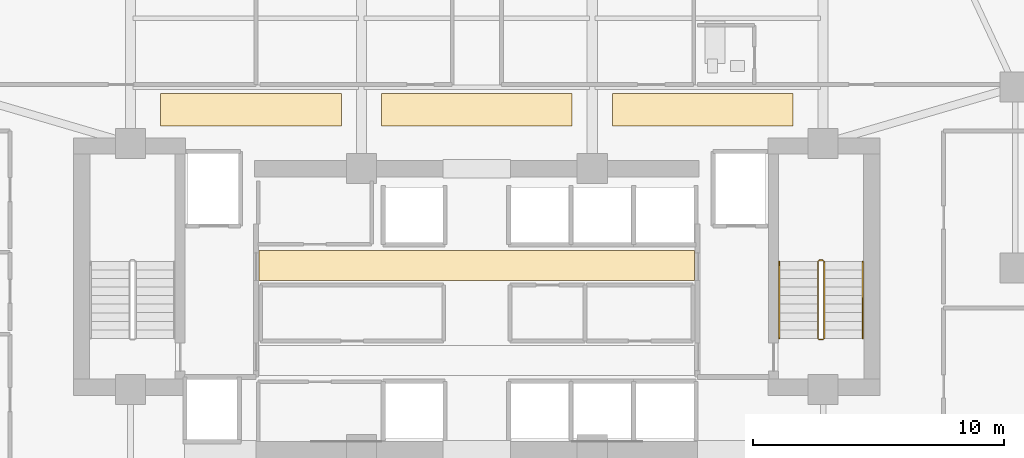
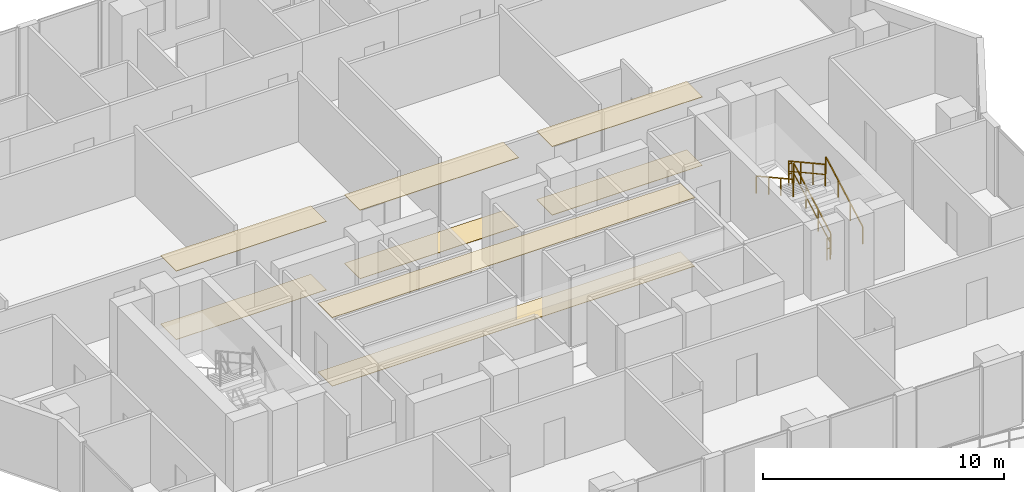
# One storey, part 31 of 33: 8 coverings, 6 railings.
"""IFC4 building model written with IfcOpenShell, lengths in metres."""

import ifcopenshell
import ifcopenshell.guid

model = None  # the IFC model being written
_history = None  # IfcOwnerHistory: only IFC2X3 demands one
_inside = {}  # id of a spatial element -> (the spatial element, [elements in it])
_under = {}  # id of a project, library or spatial element -> (it, [spatial elements below it])
_declared = {}  # id of a project -> (the project, [libraries it declares])
_typed = {}  # id of a type object -> (the type object, [elements of that type])
_made_of = {}  # id of a material, layer set ... -> (it, [elements and type objects made of it])


def new_model(schema):
    """Start an empty IFC model of exactly this schema.

    Asked for "IFC4X3", IfcOpenShell would pick the latest addendum, in which some entities
    have other attributes; the version numbers below select the first issue.
    IFC2X3 requires an IfcOwnerHistory on every rooted entity: one is made here for all.
    """
    global model, _history
    if schema == "IFC4X3":
        model = ifcopenshell.file(schema_version=(4, 3, 0, 0))
    else:
        model = ifcopenshell.file(schema=schema)
    _inside.clear()
    _under.clear()
    _declared.clear()
    _typed.clear()
    _made_of.clear()
    _history = None
    if model.schema == "IFC2X3":
        org = make("IfcOrganization", Name="unknown")
        user = make(
            "IfcPersonAndOrganization",
            ThePerson=make("IfcPerson", FamilyName="unknown"),
            TheOrganization=org,
        )
        app = make(
            "IfcApplication",
            ApplicationDeveloper=org,
            Version="unknown",
            ApplicationFullName="unknown",
            ApplicationIdentifier="unknown",
        )
        _history = make(
            "IfcOwnerHistory",
            OwningUser=user,
            OwningApplication=app,
            ChangeAction="ADDED",
            CreationDate=0,
        )
    return model


def make(cls, **values):
    """One entity of the class cls with the attributes given. An attribute that is None is left unset."""
    return model.create_entity(
        cls, **{name: value for name, value in values.items() if value is not None}
    )


def rooted(cls, **values):
    """An entity with a GlobalId (a new one), such as an element, a storey or a relation."""
    return make(cls, GlobalId=ifcopenshell.guid.new(), OwnerHistory=_history, **values)


def si_unit(unit_type, name, prefix=None):
    """IfcSIUnit, for example si_unit("LENGTHUNIT", "METRE", prefix="MILLI")."""
    return make("IfcSIUnit", UnitType=unit_type, Prefix=prefix, Name=name)


def assignment(units):
    """IfcUnitAssignment: the units of a project."""
    return None if units is None else make("IfcUnitAssignment", Units=units)


def point(xyz):
    """IfcCartesianPoint."""
    return None if xyz is None else make("IfcCartesianPoint", Coordinates=xyz)


def direction(xyz):
    """IfcDirection."""
    return None if xyz is None else make("IfcDirection", DirectionRatios=xyz)


def frame(location, z_axis=None, x_axis=None):
    """IfcAxis2Placement3D, a coordinate frame: its origin and axes. An axis left out is left unset."""
    return make(
        "IfcAxis2Placement3D",
        Location=point(location),
        Axis=direction(z_axis),
        RefDirection=direction(x_axis),
    )


def frame_2d(location, x_axis=None):
    """IfcAxis2Placement2D, a coordinate frame in the plane: its origin and x axis."""
    return make(
        "IfcAxis2Placement2D", Location=point(location), RefDirection=direction(x_axis)
    )


def origin():
    """The frame at (0, 0, 0) with its axes left unset."""
    return frame((0.0, 0.0, 0.0))


def origin_2d():
    """The frame at (0, 0) in the plane with its x axis left unset."""
    return frame_2d((0.0, 0.0))


def place(relative_to, where):
    """IfcLocalPlacement: puts the frame where relative to a parent placement (None: the world)."""
    return make(
        "IfcLocalPlacement", PlacementRelTo=relative_to, RelativePlacement=where
    )


def context(
    kind, dimensions, precision=None, world=None, true_north=None, identifier=None
):
    """IfcGeometricRepresentationContext, for example the 3D "Model" context."""
    return make(
        "IfcGeometricRepresentationContext",
        ContextIdentifier=identifier,
        ContextType=kind,
        CoordinateSpaceDimension=dimensions,
        Precision=precision,
        WorldCoordinateSystem=world,
        TrueNorth=true_north,
    )


def subcontext(parent, identifier, kind, view, scale=None):
    """IfcGeometricRepresentationSubContext, for example "Body" below "Model"."""
    return make(
        "IfcGeometricRepresentationSubContext",
        ContextIdentifier=identifier,
        ContextType=kind,
        ParentContext=parent,
        TargetScale=scale,
        TargetView=view,
    )


def project(units=None, contexts=None):
    """IfcProject with its units and contexts."""
    return rooted(
        "IfcProject",
        Name="project",
        RepresentationContexts=contexts,
        UnitsInContext=assignment(units),
    )


def spatial(cls, under=None, at=None, **own):
    """A site, building, storey or space (cls), placed at a placement, below another one or the project."""
    s = rooted(cls, ObjectPlacement=at, **own)
    if under is not None:
        _under.setdefault(under.id(), (under, []))[1].append(s)
    return s


def polyline(points):
    """IfcPolyline through the points."""
    return make("IfcPolyline", Points=[point(p) for p in points])


def profile(cls, at=None, kind="AREA", **sizes):
    """A parametric profile (cls). Its sizes go by their IFC names, for example OverallWidth=200.0."""
    return make(cls, ProfileType=kind, Position=at, **sizes)


def rectangle(**sizes):
    """IfcRectangleProfileDef."""
    return profile("IfcRectangleProfileDef", **sizes)


def outline(outer, holes=None, kind="AREA"):
    """IfcArbitraryClosedProfileDef: a profile drawn as a closed curve; with holes, ...WithVoids."""
    if holes is None:
        return make("IfcArbitraryClosedProfileDef", ProfileType=kind, OuterCurve=outer)
    return make(
        "IfcArbitraryProfileDefWithVoids",
        ProfileType=kind,
        OuterCurve=outer,
        InnerCurves=holes,
    )


def extrude(swept, where, along, depth):
    """IfcExtrudedAreaSolid: the profile swept, set in the frame where, extruded along a direction by depth."""
    return make(
        "IfcExtrudedAreaSolid",
        SweptArea=swept,
        Position=where,
        ExtrudedDirection=direction(along),
        Depth=depth,
    )


def shape(context_of_items, identifier, shape_type, items):
    """IfcShapeRepresentation: the items that make up one representation, for example the "Body"."""
    return make(
        "IfcShapeRepresentation",
        ContextOfItems=context_of_items,
        RepresentationIdentifier=identifier,
        RepresentationType=shape_type,
        Items=items,
    )


def material(Name=None, Category=None):
    """IfcMaterial."""
    return make("IfcMaterial", Name=Name, Category=Category)


def layer(
    of_material, thickness, ventilated=None, Name=None, Category=None, Priority=None
):
    """IfcMaterialLayer: one layer of a wall or slab, of a material (None: an air gap)."""
    return make(
        "IfcMaterialLayer",
        Material=of_material,
        LayerThickness=thickness,
        IsVentilated=ventilated,
        Name=Name,
        Category=Category,
        Priority=Priority,
    )


def layer_set(layers, Name=None):
    """IfcMaterialLayerSet."""
    return make("IfcMaterialLayerSet", MaterialLayers=layers, LayerSetName=Name)


def made_of(thing, what):
    """Note that an element or type object is made of a material, layer set ...; save() writes the relation."""
    if what is not None:
        _made_of.setdefault(what.id(), (what, []))[1].append(thing)
    return thing


def type_object(cls, material=None, **own):
    """A type object (cls), such as IfcWallType, which elements share."""
    return made_of(rooted(cls, **own), material)


def element(
    cls,
    number,
    at=None,
    inside=None,
    cuts=None,
    type_object=None,
    material=None,
    context=None,
    identifier="Body",
    shape_type=None,
    held_by="IfcProductDefinitionShape",
    body=None,
    shapes=None,
    **own,
):
    """One element of the class cls, such as IfcWall. Its Tag is "e" and its number.

    at: its placement. inside: the storey or other place that contains it. cuts: it is an
    opening in that element (IfcRelVoidsElement). A single representation is given by context,
    identifier, shape_type and body (its items); several are given by shapes. held_by: the class
    of the entity that holds the representations. save() writes the other relations.
    """
    e = rooted(cls, Tag="e%d" % number, ObjectPlacement=at, **own)
    if body is not None:
        shapes = [shape(context, identifier, shape_type, body)]
    if shapes is not None:
        e.Representation = make(held_by, Representations=shapes)
    if inside is not None:
        _inside.setdefault(inside.id(), (inside, []))[1].append(e)
    if cuts is not None:
        rooted(
            "IfcRelVoidsElement", RelatingBuildingElement=cuts, RelatedOpeningElement=e
        )
    if type_object is not None:
        _typed.setdefault(type_object.id(), (type_object, []))[1].append(e)
    return made_of(e, material)


def aggregate(whole, parts):
    """IfcRelAggregates: a whole, such as a stair, and the parts it consists of."""
    return rooted("IfcRelAggregates", RelatingObject=whole, RelatedObjects=parts)


def save(model, path):
    """Write the relations noted so far, then the file.

    IfcRelAggregates (storeys below a building ...), IfcRelContainedInSpatialStructure (elements
    in a storey), IfcRelDefinesByType, IfcRelAssociatesMaterial and IfcRelDeclares: one each for
    every whole, place, type object, material and project.
    """
    for whole, parts in _under.values():
        aggregate(whole, parts)
    for where, things in _inside.values():
        rooted(
            "IfcRelContainedInSpatialStructure",
            RelatedElements=things,
            RelatingStructure=where,
        )
    for kind, things in _typed.values():
        rooted("IfcRelDefinesByType", RelatedObjects=things, RelatingType=kind)
    for what, things in _made_of.values():
        rooted("IfcRelAssociatesMaterial", RelatedObjects=things, RelatingMaterial=what)
    for by, libraries in _declared.values():
        rooted("IfcRelDeclares", RelatingContext=by, RelatedDefinitions=libraries)
    model.write(path)


model = new_model("IFC4")

# Units and contexts
model_context = context("Model", 3, precision=1e-05, world=origin(), true_north=direction((0.0, 1.0)))
body_context = subcontext(model_context, "Body", "Model", "MODEL_VIEW")
ifc_project = project(units=[si_unit("LENGTHUNIT", "METRE"), si_unit("AREAUNIT", "SQUARE_METRE"), si_unit("VOLUMEUNIT", "CUBIC_METRE"), si_unit("PLANEANGLEUNIT", "RADIAN"), si_unit("MASSUNIT", "GRAM", prefix="KILO")], contexts=[model_context])

# Site, building, storey
site_placement = place(None, origin())
site = spatial("IfcSite", under=ifc_project, at=site_placement, CompositionType="ELEMENT")
building_placement = place(site_placement, origin())
building = spatial("IfcBuilding", under=site, at=building_placement, Name="Zuhayl Quay Hotel", CompositionType="ELEMENT")
storey_placement = place(building_placement, frame((0.0, 0.0, 229.89990234375)))
storey = spatial("IfcBuildingStorey", under=building, at=storey_placement, Name="L58", CompositionType="ELEMENT", Elevation=229.89990234375)

# Coverings
ifc_material_1 = material(Name="Acoustic Mineral-Fibre Gypsum Board")
ifc_layer_1 = layer(ifc_material_1, 0.02490234375, Name="Acoustic Mineral-Fibre Gypsum Board")
ifc_layer_set_1 = layer_set([ifc_layer_1], Name="Acoustic Mineral-Fibre Gypsum Board")
covering_type_1 = type_object("IfcCoveringType", Name="CV_CEIL_ACOUSTIC", PredefinedType="CEILING", material=ifc_layer_set_1)
covering_1_placement = place(storey_placement, frame((0.0, 0.0, 3.465087890625)))
element("IfcCovering", 1, at=covering_1_placement, inside=storey, type_object=covering_type_1, Name="L58 Suspended Acoustic Lobby Ceiling N", PredefinedType="CEILING", context=body_context, shape_type="SweptSolid", body=[
    extrude(outline(polyline([(-8.679931640625, 8.89990234375), (8.679931640625, 8.89990234375), (8.679931640625, 10.10009765625), (-8.679931640625, 10.10009765625), (-8.679931640625, 8.89990234375)])), origin(), (0.0, 0.0, 1.0), 0.02490234375),
])
covering_2_placement = place(storey_placement, frame((0.0, 0.0, 3.465087890625)))
element("IfcCovering", 2, at=covering_2_placement, inside=storey, type_object=covering_type_1, Name="L58 Guest Corridor Acoustic Ceiling CW", PredefinedType="CEILING", context=body_context, shape_type="SweptSolid", body=[
    extrude(outline(polyline([(-12.60009765625, 15.050048828125), (-5.39990234375, 15.050048828125), (-5.39990234375, 16.35009765625), (-12.60009765625, 16.35009765625), (-12.60009765625, 15.050048828125)])), origin(), (0.0, 0.0, 1.0), 0.02490234375),
])
covering_3_placement = place(storey_placement, frame((0.0, 0.0, 3.465087890625)))
element("IfcCovering", 3, at=covering_3_placement, inside=storey, type_object=covering_type_1, Name="L58 Guest Corridor Acoustic Ceiling CC", PredefinedType="CEILING", context=body_context, shape_type="SweptSolid", body=[
    extrude(outline(polyline([(-3.800048828125, 15.050048828125), (3.800048828125, 15.050048828125), (3.800048828125, 16.35009765625), (-3.800048828125, 16.35009765625), (-3.800048828125, 15.050048828125)])), origin(), (0.0, 0.0, 1.0), 0.02490234375),
])
covering_4_placement = place(storey_placement, frame((0.0, 0.0, 3.465087890625)))
element("IfcCovering", 4, at=covering_4_placement, inside=storey, type_object=covering_type_1, Name="L58 Guest Corridor Acoustic Ceiling CE", PredefinedType="CEILING", context=body_context, shape_type="SweptSolid", body=[
    extrude(outline(polyline([(5.39990234375, 15.050048828125), (12.60009765625, 15.050048828125), (12.60009765625, 16.35009765625), (5.39990234375, 16.35009765625), (5.39990234375, 15.050048828125)])), origin(), (0.0, 0.0, 1.0), 0.02490234375),
])
ifc_material_2 = material(Name="Polished Limestone Terrazzo", Category="masonry")
ifc_layer_2 = layer(ifc_material_2, 0.02001953125, Name="Polished Limestone Terrazzo", Category="masonry")
ifc_layer_set_2 = layer_set([ifc_layer_2], Name="Polished Limestone Terrazzo")
covering_type_2 = type_object("IfcCoveringType", Name="CV_FLOOR_TERRAZZO", PredefinedType="FLOORING", material=ifc_layer_set_2)
covering_5_placement = place(storey_placement, origin())
element("IfcCovering", 5, at=covering_5_placement, inside=storey, type_object=covering_type_2, Name="L58 Honed Limestone Terrazzo Lobby Flooring N", PredefinedType="FLOORING", context=body_context, shape_type="SweptSolid", body=[
    extrude(outline(polyline([(-8.679931640625, 8.89990234375), (8.679931640625, 8.89990234375), (8.679931640625, 10.10009765625), (-8.679931640625, 10.10009765625), (-8.679931640625, 8.89990234375)])), origin(), (0.0, 0.0, 1.0), 0.02001953125),
])
covering_6_placement = place(storey_placement, origin())
element("IfcCovering", 6, at=covering_6_placement, inside=storey, type_object=covering_type_2, Name="L58 Guest Corridor Terrazzo Runner CW", PredefinedType="FLOORING", context=body_context, shape_type="SweptSolid", body=[
    extrude(outline(polyline([(-12.60009765625, 15.050048828125), (-5.39990234375, 15.050048828125), (-5.39990234375, 16.35009765625), (-12.60009765625, 16.35009765625), (-12.60009765625, 15.050048828125)])), origin(), (0.0, 0.0, 1.0), 0.02001953125),
])
covering_7_placement = place(storey_placement, origin())
element("IfcCovering", 7, at=covering_7_placement, inside=storey, type_object=covering_type_2, Name="L58 Guest Corridor Terrazzo Runner CC", PredefinedType="FLOORING", context=body_context, shape_type="SweptSolid", body=[
    extrude(outline(polyline([(-3.800048828125, 15.050048828125), (3.800048828125, 15.050048828125), (3.800048828125, 16.35009765625), (-3.800048828125, 16.35009765625), (-3.800048828125, 15.050048828125)])), origin(), (0.0, 0.0, 1.0), 0.02001953125),
])
covering_8_placement = place(storey_placement, origin())
element("IfcCovering", 8, at=covering_8_placement, inside=storey, type_object=covering_type_2, Name="L58 Guest Corridor Terrazzo Runner CE", PredefinedType="FLOORING", context=body_context, shape_type="SweptSolid", body=[
    extrude(outline(polyline([(5.39990234375, 15.050048828125), (12.60009765625, 15.050048828125), (12.60009765625, 16.35009765625), (5.39990234375, 16.35009765625), (5.39990234375, 15.050048828125)])), origin(), (0.0, 0.0, 1.0), 0.02001953125),
])

# Railings
ifc_material_3 = material(Name="Steel ASTM A992 Grade 50", Category="steel")
railing_type_1 = type_object("IfcRailingType", Name="RL_GUARD_1100", PredefinedType="GUARDRAIL", material=ifc_material_3)
railing_1_placement = place(storey_placement, frame((13.840087890625, 6.590087890625, 0.1875)))
element("IfcRailing", 9, at=railing_1_placement, inside=storey, type_object=railing_type_1, Name="L58 ST2 stair guard 1", PredefinedType="GUARDRAIL", context=body_context, shape_type="SweptSolid", body=[
    extrude(rectangle(XDim=0.048095703125, YDim=0.048095703125, at=origin_2d()), frame((0.0, 0.0, 1.09619140625), z_axis=(0.0, 0.875659195171, 0.482929574485), x_axis=(-1.0, 0.0, 0.0)), (0.0, 0.0, 1.0), 3.494384765625),
    extrude(rectangle(XDim=0.0361328125, YDim=0.0361328125, at=origin_2d()), frame((0.0, 0.0, 0.58251953125), z_axis=(0.0, 0.875659195171, 0.482929574485), x_axis=(-1.0, 0.0, 0.0)), (0.0, 0.0, 1.0), 3.494384765625),
    extrude(rectangle(XDim=0.0419921875, YDim=0.0419921875, at=origin_2d()), origin(), (0.0, 0.0, 1.0), 1.072021484375),
    extrude(rectangle(XDim=0.0419921875, YDim=0.0419921875, at=origin_2d()), frame((0.0, 1.02001953125, 0.5625)), (0.0, 0.0, 1.0), 1.072021484375),
    extrude(rectangle(XDim=0.0419921875, YDim=0.0419921875, at=origin_2d()), frame((0.0, 2.039794921875, 1.125)), (0.0, 0.0, 1.0), 1.072021484375),
    extrude(rectangle(XDim=0.0419921875, YDim=0.0419921875, at=origin_2d()), frame((0.0, 3.059814453125, 1.6875)), (0.0, 0.0, 1.0), 1.072021484375),
])
railing_2_placement = place(storey_placement, frame((13.7900390625, 9.699951171875, 1.875)))
element("IfcRailing", 10, at=railing_2_placement, inside=storey, type_object=railing_type_1, Name="L58 ST2 stair guard 2", PredefinedType="GUARDRAIL", context=body_context, shape_type="SweptSolid", body=[
    extrude(rectangle(XDim=0.048095703125, YDim=0.048095703125, at=origin_2d()), frame((0.0, 0.0, 1.09619140625), z_axis=(-1.0, 0.0, 0.0), x_axis=(0.0, -1.0, 0.0)), (0.0, 0.0, 1.0), 0.150146484375),
    extrude(rectangle(XDim=0.0361328125, YDim=0.0361328125, at=origin_2d()), frame((0.0, 0.0, 0.58251953125), z_axis=(-1.0, 0.0, 0.0), x_axis=(0.0, -1.0, 0.0)), (0.0, 0.0, 1.0), 0.150146484375),
    extrude(rectangle(XDim=0.0419921875, YDim=0.0419921875, at=origin_2d()), origin(), (0.0, 0.0, 1.0), 1.072021484375),
    extrude(rectangle(XDim=0.0419921875, YDim=0.0419921875, at=origin_2d()), frame((-0.150146484375, 0.0, 0.0)), (0.0, 0.0, 1.0), 1.072021484375),
])
railing_3_placement = place(storey_placement, frame((13.590087890625, 9.64990234375, 2.0625)))
element("IfcRailing", 11, at=railing_3_placement, inside=storey, type_object=railing_type_1, Name="L58 ST2 stair guard 3", PredefinedType="GUARDRAIL", context=body_context, shape_type="SweptSolid", body=[
    extrude(rectangle(XDim=0.048095703125, YDim=0.048095703125, at=origin_2d()), frame((0.0, 0.0, 1.09619140625), z_axis=(0.0, -0.875659195171, 0.482929574485), x_axis=(1.0, 0.0, 0.0)), (0.0, 0.0, 1.0), 3.494384765625),
    extrude(rectangle(XDim=0.0361328125, YDim=0.0361328125, at=origin_2d()), frame((0.0, 0.0, 0.58251953125), z_axis=(0.0, -0.875659195171, 0.482929574485), x_axis=(1.0, 0.0, 0.0)), (0.0, 0.0, 1.0), 3.494384765625),
    extrude(rectangle(XDim=0.0419921875, YDim=0.0419921875, at=origin_2d()), origin(), (0.0, 0.0, 1.0), 1.072021484375),
    extrude(rectangle(XDim=0.0419921875, YDim=0.0419921875, at=origin_2d()), frame((0.0, -1.02001953125, 0.5625)), (0.0, 0.0, 1.0), 1.072021484375),
    extrude(rectangle(XDim=0.0419921875, YDim=0.0419921875, at=origin_2d()), frame((0.0, -2.039794921875, 1.125)), (0.0, 0.0, 1.0), 1.072021484375),
    extrude(rectangle(XDim=0.0419921875, YDim=0.0419921875, at=origin_2d()), frame((0.0, -3.059814453125, 1.6875)), (0.0, 0.0, 1.0), 1.072021484375),
])
railing_4_placement = place(storey_placement, frame((13.7900390625, 6.5400390625, 0.0)))
element("IfcRailing", 12, at=railing_4_placement, inside=storey, type_object=railing_type_1, Name="L58 ST2 stair guard 4", PredefinedType="GUARDRAIL", context=body_context, shape_type="SweptSolid", body=[
    extrude(rectangle(XDim=0.048095703125, YDim=0.048095703125, at=origin_2d()), frame((0.0, 0.0, 1.09619140625), z_axis=(-1.0, 0.0, 0.0), x_axis=(0.0, -1.0, 0.0)), (0.0, 0.0, 1.0), 0.150146484375),
    extrude(rectangle(XDim=0.0361328125, YDim=0.0361328125, at=origin_2d()), frame((0.0, 0.0, 0.58251953125), z_axis=(-1.0, 0.0, 0.0), x_axis=(0.0, -1.0, 0.0)), (0.0, 0.0, 1.0), 0.150146484375),
    extrude(rectangle(XDim=0.0419921875, YDim=0.0419921875, at=origin_2d()), origin(), (0.0, 0.0, 1.0), 1.072021484375),
    extrude(rectangle(XDim=0.0419921875, YDim=0.0419921875, at=origin_2d()), frame((-0.150146484375, 0.0, 0.0)), (0.0, 0.0, 1.0), 1.072021484375),
])
railing_type_2 = type_object("IfcRailingType", Name="RL_HANDRAIL_920", PredefinedType="HANDRAIL", material=ifc_material_3)
railing_5_placement = place(storey_placement, frame((15.3798828125, 6.590087890625, 0.1875)))
element("IfcRailing", 13, at=railing_5_placement, inside=storey, type_object=railing_type_2, Name="L58 ST2 stair handrail 1", PredefinedType="HANDRAIL", context=body_context, shape_type="SweptSolid", body=[
    extrude(rectangle(XDim=0.048095703125, YDim=0.048095703125, at=origin_2d()), frame((0.0, 0.0, 0.8759765625), z_axis=(0.0, 0.875659195171, 0.482929574485), x_axis=(-1.0, 0.0, 0.0)), (0.0, 0.0, 1.0), 3.494384765625),
    extrude(rectangle(XDim=0.0419921875, YDim=0.0419921875, at=origin_2d()), origin(), (0.0, 0.0, 1.0), 0.851806640625),
    extrude(rectangle(XDim=0.0419921875, YDim=0.0419921875, at=origin_2d()), frame((0.0, 1.02001953125, 0.5625)), (0.0, 0.0, 1.0), 0.851806640625),
    extrude(rectangle(XDim=0.0419921875, YDim=0.0419921875, at=origin_2d()), frame((0.0, 2.039794921875, 1.125)), (0.0, 0.0, 1.0), 0.851806640625),
    extrude(rectangle(XDim=0.0419921875, YDim=0.0419921875, at=origin_2d()), frame((0.0, 3.059814453125, 1.6875)), (0.0, 0.0, 1.0), 0.851806640625),
])
railing_6_placement = place(storey_placement, frame((12.050048828125, 9.64990234375, 2.0625)))
element("IfcRailing", 14, at=railing_6_placement, inside=storey, type_object=railing_type_2, Name="L58 ST2 stair handrail 2", PredefinedType="HANDRAIL", context=body_context, shape_type="SweptSolid", body=[
    extrude(rectangle(XDim=0.048095703125, YDim=0.048095703125, at=origin_2d()), frame((0.0, 0.0, 0.8759765625), z_axis=(0.0, -0.875659195171, 0.482929574485), x_axis=(1.0, 0.0, 0.0)), (0.0, 0.0, 1.0), 3.494384765625),
    extrude(rectangle(XDim=0.0419921875, YDim=0.0419921875, at=origin_2d()), origin(), (0.0, 0.0, 1.0), 0.851806640625),
    extrude(rectangle(XDim=0.0419921875, YDim=0.0419921875, at=origin_2d()), frame((0.0, -1.02001953125, 0.5625)), (0.0, 0.0, 1.0), 0.851806640625),
    extrude(rectangle(XDim=0.0419921875, YDim=0.0419921875, at=origin_2d()), frame((0.0, -2.039794921875, 1.125)), (0.0, 0.0, 1.0), 0.851806640625),
    extrude(rectangle(XDim=0.0419921875, YDim=0.0419921875, at=origin_2d()), frame((0.0, -3.059814453125, 1.6875)), (0.0, 0.0, 1.0), 0.851806640625),
])

save(model, "model.ifc")
